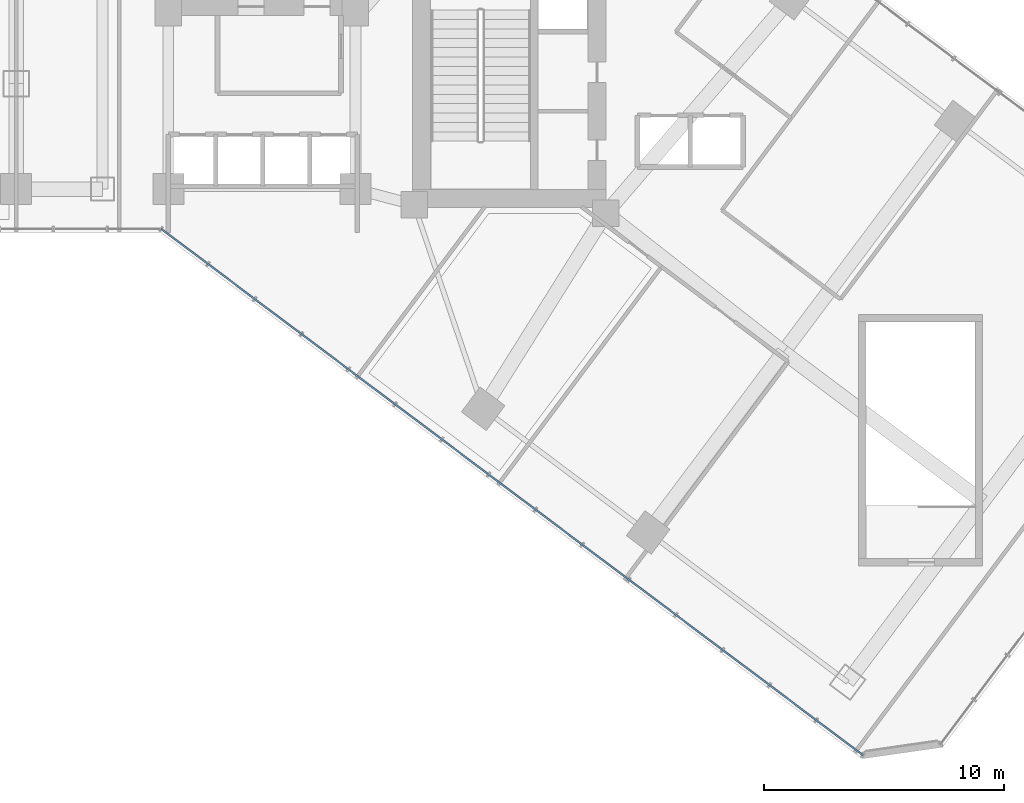
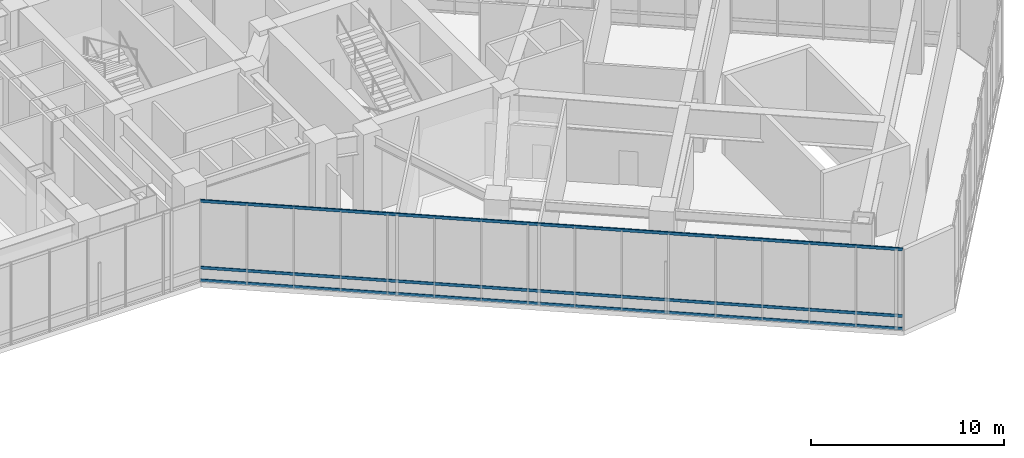
# One storey, part 7 of 38: 3 members, 1 element without a shape of its own.
"""IFC4 building model written with IfcOpenShell, lengths in metres."""

from ifc_helpers import new_model, si_unit, direction, frame, origin, origin_2d, place, context, subcontext, project, spatial, hollow_rectangle, extrude, material, layer, layer_set, material_profile, profile_set, type_object, element, aggregate, save


model = new_model("IFC4")

# Units and contexts
model_context = context("Model", 3, precision=1e-05, world=origin(), true_north=direction((0.0, 1.0)))
body_context = subcontext(model_context, "Body", "Model", "MODEL_VIEW")
ifc_project = project(units=[si_unit("LENGTHUNIT", "METRE"), si_unit("AREAUNIT", "SQUARE_METRE"), si_unit("VOLUMEUNIT", "CUBIC_METRE"), si_unit("PLANEANGLEUNIT", "RADIAN"), si_unit("MASSUNIT", "GRAM", prefix="KILO")], contexts=[model_context])

# Site, building, storey
site_placement = place(None, origin())
site = spatial("IfcSite", under=ifc_project, at=site_placement, CompositionType="ELEMENT")
building_placement = place(site_placement, origin())
building = spatial("IfcBuilding", under=site, at=building_placement, Name="Hatsunagi Terrace Concourse", CompositionType="ELEMENT")
storey_placement = place(building_placement, frame((0.0, 0.0, 21.60009765625)))
storey = spatial("IfcBuildingStorey", under=building, at=storey_placement, Name="L05", CompositionType="ELEMENT", Elevation=21.60009765625)

# Curtain wall, members
ifc_material_1 = material(Name="Anodised Aluminium Alloy 6063-T5", Category="aluminium")
ifc_layer = layer(ifc_material_1, 0.199951171875)
ifc_layer_set = layer_set([ifc_layer], Name="PodiumStorefront_CW01")
curtain_wall_type = type_object("IfcCurtainWallType", Name="PodiumStorefront_CW01", PredefinedType="NOTDEFINED", material=ifc_layer_set)
curtain_wall_placement = place(storey_placement, origin())
curtain_wall = element("IfcCurtainWall", 1, at=curtain_wall_placement, inside=storey, type_object=curtain_wall_type, Name="Unitised Curtain Wall CW-01 CW-L05-05", PredefinedType="NOTDEFINED")
ifc_material_2 = material(Name="Anodised Aluminium Alloy 6063-T5", Category="aluminium")
ifc_material_profile = material_profile(ifc_material_2, hollow_rectangle(XDim=0.070068359375, YDim=0.179931640625, WallThickness=0.00390625, at=origin_2d()), Name="ALU-TRN-180x70x4")
ifc_profile_set = profile_set([ifc_material_profile], Name="Anodised Aluminium Alloy 6063-T5")
member_type = type_object("IfcMemberType", Name="CurtainWallTransom_Heavy_180x70", PredefinedType="USERDEFINED", material=ifc_profile_set)
member_1_placement = place(storey_placement, frame((54.51806640625, 1.5869140625, 0.0498046875), z_axis=(-0.800001601415, 0.599997864774, 0.0), x_axis=(-0.599997864774, -0.800001601415, 0.0)))
member_1 = element("IfcMember", 2, at=member_1_placement, type_object=member_type, Name="Curtain Wall Transom TRN-01", ObjectType="TRANSOM", PredefinedType="USERDEFINED", context=body_context, shape_type="SweptSolid", body=[
    extrude(hollow_rectangle(XDim=0.070068359375, YDim=0.179931640625, WallThickness=0.00390625, at=origin_2d()), origin(), (0.0, 0.0, 1.0), 36.588623046875),
])
member_2_placement = place(storey_placement, frame((54.51806640625, 1.5869140625, 0.849853515625), z_axis=(-0.800001601415, 0.599997864774, 0.0), x_axis=(-0.599997864774, -0.800001601415, 0.0)))
member_2 = element("IfcMember", 3, at=member_2_placement, type_object=member_type, Name="Curtain Wall Transom TRN-01", ObjectType="TRANSOM", PredefinedType="USERDEFINED", context=body_context, shape_type="SweptSolid", body=[
    extrude(hollow_rectangle(XDim=0.070068359375, YDim=0.179931640625, WallThickness=0.00390625, at=origin_2d()), origin(), (0.0, 0.0, 1.0), 36.588623046875),
])
member_3_placement = place(storey_placement, frame((54.51806640625, 1.5869140625, 5.0498046875), z_axis=(-0.800001601415, 0.599997864774, 0.0), x_axis=(-0.599997864774, -0.800001601415, 0.0)))
member_3 = element("IfcMember", 4, at=member_3_placement, type_object=member_type, Name="Curtain Wall Transom TRN-01", ObjectType="TRANSOM", PredefinedType="USERDEFINED", context=body_context, shape_type="SweptSolid", body=[
    extrude(hollow_rectangle(XDim=0.070068359375, YDim=0.179931640625, WallThickness=0.00390625, at=origin_2d()), origin(), (0.0, 0.0, 1.0), 36.588623046875),
])
aggregate(curtain_wall, [member_1, member_2, member_3])

save(model, "model.ifc")
